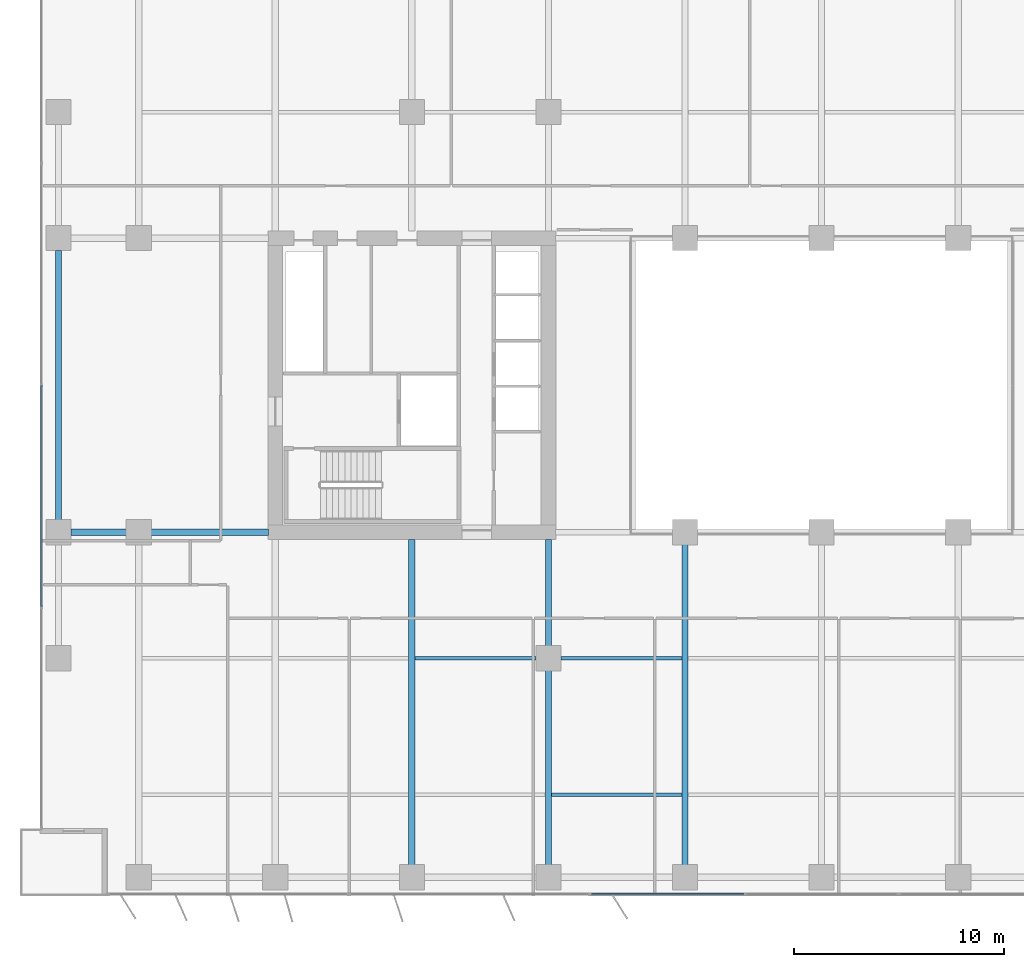
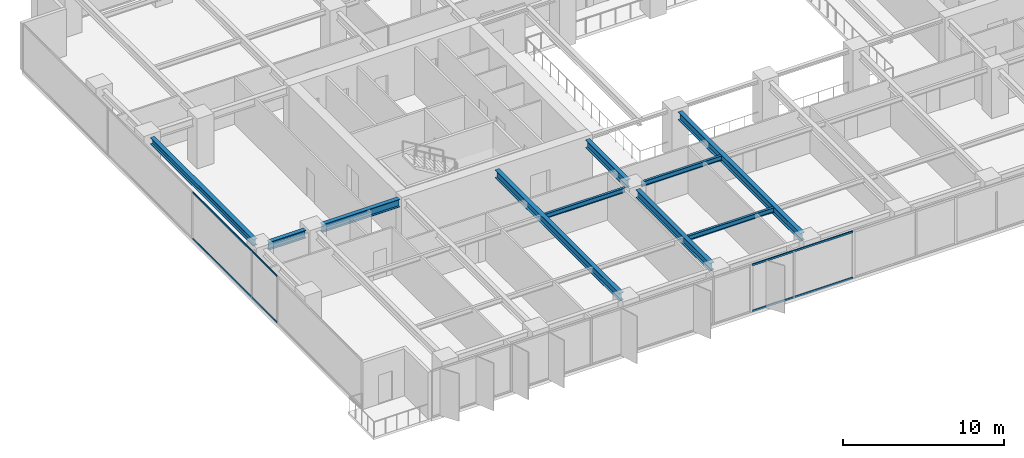
# One storey, part 3 of 20: 10 beams, 4 members, 2 elements without a shape of their own.
"""IFC4 building model written with IfcOpenShell, lengths in metres."""

from ifc_helpers import new_model, si_unit, direction, frame, origin, origin_2d, place, context, subcontext, project, spatial, rectangle, i_section, extrude, material, layer, layer_set, material_profile, profile_set, type_object, element, aggregate, save


model = new_model("IFC4")

# Units and contexts
model_context = context("Model", 3, precision=1e-05, world=origin(), true_north=direction((0.0, 1.0)))
body_context = subcontext(model_context, "Body", "Model", "MODEL_VIEW")
ifc_project = project(units=[si_unit("LENGTHUNIT", "METRE"), si_unit("AREAUNIT", "SQUARE_METRE"), si_unit("VOLUMEUNIT", "CUBIC_METRE"), si_unit("PLANEANGLEUNIT", "RADIAN"), si_unit("MASSUNIT", "GRAM", prefix="KILO")], contexts=[model_context])

# Site, building, storey
site_placement = place(None, origin())
site = spatial("IfcSite", under=ifc_project, at=site_placement, CompositionType="ELEMENT")
building_placement = place(site_placement, origin())
building = spatial("IfcBuilding", under=site, at=building_placement, Name="Putna Gate Headquarters", CompositionType="ELEMENT")
storey_placement = place(building_placement, frame((0.0, 0.0, 101.199951171875)))
storey = spatial("IfcBuildingStorey", under=building, at=storey_placement, Name="L24", CompositionType="ELEMENT", Elevation=101.199951171875)

# Beams
ifc_material_1 = material(Name="Steel S355J2", Category="steel")
ifc_material_profile_1 = material_profile(ifc_material_1, i_section(OverallWidth=0.300048828125, OverallDepth=0.60009765625, WebThickness=0.015380859375, FlangeThickness=0.030029296875, at=origin_2d()), Name="Steel S355J2")
ifc_profile_set_1 = profile_set([ifc_material_profile_1], Name="Steel S355J2")
beam_type_1 = type_object("IfcBeamType", Name="BM-GIRD-Z2-HEB600", PredefinedType="USERDEFINED", material=ifc_profile_set_1)
beam_1_placement = place(storey_placement, frame((3.26806640625, 19.0, 3.26513671875), z_axis=(1.0, 0.0, 0.0), x_axis=(0.0, 1.0, 0.0)))
element("IfcBeam", 1, at=beam_1_placement, inside=storey, type_object=beam_type_1, Name="L24 West Wing Girder Y19-1", ObjectType="GIRDER", PredefinedType="USERDEFINED", context=body_context, shape_type="SweptSolid", body=[
    extrude(i_section(OverallWidth=0.300048828125, OverallDepth=0.60009765625, WebThickness=0.015380859375, FlangeThickness=0.030029296875, at=origin_2d()), origin(), (0.0, 0.0, 1.0), 2.64404296875),
])
beam_2_placement = place(storey_placement, frame((7.087890625, 19.0, 3.26513671875), z_axis=(1.0, 0.0, 0.0), x_axis=(0.0, 1.0, 0.0)))
element("IfcBeam", 2, at=beam_2_placement, inside=storey, type_object=beam_type_1, Name="L24 West Wing Girder Y19-2", ObjectType="GIRDER", PredefinedType="USERDEFINED", context=body_context, shape_type="SweptSolid", body=[
    extrude(i_section(OverallWidth=0.300048828125, OverallDepth=0.60009765625, WebThickness=0.015380859375, FlangeThickness=0.030029296875, at=origin_2d()), origin(), (0.0, 0.0, 1.0), 5.5771484375),
])
beam_3_placement = place(storey_placement, frame((19.5, 3.16796875, 3.26513671875), z_axis=(0.0, 1.0, 0.0), x_axis=(-1.0, 0.0, 0.0)))
element("IfcBeam", 3, at=beam_3_placement, inside=storey, type_object=beam_type_1, Name="L24 South Primary Girder X19", ObjectType="GIRDER", PredefinedType="USERDEFINED", context=body_context, shape_type="SweptSolid", body=[
    extrude(i_section(OverallWidth=0.300048828125, OverallDepth=0.60009765625, WebThickness=0.015380859375, FlangeThickness=0.030029296875, at=origin_2d()), origin(), (0.0, 0.0, 1.0), 15.4970703125),
])
beam_4_placement = place(storey_placement, frame((26.0, 3.16796875, 3.26513671875), z_axis=(0.0, 1.0, 0.0), x_axis=(-1.0, 0.0, 0.0)))
element("IfcBeam", 4, at=beam_4_placement, inside=storey, type_object=beam_type_1, Name="L24 South Primary Girder X26-1", ObjectType="GIRDER", PredefinedType="USERDEFINED", context=body_context, shape_type="SweptSolid", body=[
    extrude(i_section(OverallWidth=0.300048828125, OverallDepth=0.60009765625, WebThickness=0.015380859375, FlangeThickness=0.030029296875, at=origin_2d()), origin(), (0.0, 0.0, 1.0), 9.244140625),
])
beam_5_placement = place(storey_placement, frame((26.0, 13.587890625, 3.26513671875), z_axis=(0.0, 1.0, 0.0), x_axis=(-1.0, 0.0, 0.0)))
element("IfcBeam", 5, at=beam_5_placement, inside=storey, type_object=beam_type_1, Name="L24 South Primary Girder X26-2", ObjectType="GIRDER", PredefinedType="USERDEFINED", context=body_context, shape_type="SweptSolid", body=[
    extrude(i_section(OverallWidth=0.300048828125, OverallDepth=0.60009765625, WebThickness=0.015380859375, FlangeThickness=0.030029296875, at=origin_2d()), origin(), (0.0, 0.0, 1.0), 5.0771484375),
])
beam_6_placement = place(storey_placement, frame((32.5, 3.16796875, 3.26513671875), z_axis=(0.0, 1.0, 0.0), x_axis=(-1.0, 0.0, 0.0)))
element("IfcBeam", 6, at=beam_6_placement, inside=storey, type_object=beam_type_1, Name="L24 South Primary Girder X32", ObjectType="GIRDER", PredefinedType="USERDEFINED", context=body_context, shape_type="SweptSolid", body=[
    extrude(i_section(OverallWidth=0.300048828125, OverallDepth=0.60009765625, WebThickness=0.015380859375, FlangeThickness=0.030029296875, at=origin_2d()), origin(), (0.0, 0.0, 1.0), 15.244140625),
])
ifc_material_profile_2 = material_profile(ifc_material_1, i_section(OverallWidth=0.169921875, OverallDepth=0.360107421875, WebThickness=0.008056640625, FlangeThickness=0.0126953125, at=origin_2d()), Name="Steel S355J2")
ifc_profile_set_2 = profile_set([ifc_material_profile_2], Name="Steel S355J2")
beam_type_2 = type_object("IfcBeamType", Name="BM-SEC-Z2-IPE360", PredefinedType="BEAM", material=ifc_profile_set_2)
beam_7_placement = place(storey_placement, frame((19.654052734375, 13.0, 3.385009765625), z_axis=(1.0, 0.0, 0.0), x_axis=(0.0, 1.0, 0.0)))
element("IfcBeam", 7, at=beam_7_placement, inside=storey, type_object=beam_type_2, Name="L24 South Secondary Beam 3", PredefinedType="BEAM", context=body_context, shape_type="SweptSolid", body=[
    extrude(i_section(OverallWidth=0.169921875, OverallDepth=0.360107421875, WebThickness=0.008056640625, FlangeThickness=0.0126953125, at=origin_2d()), origin(), (0.0, 0.0, 1.0), 5.758056640625),
])
beam_8_placement = place(storey_placement, frame((26.154052734375, 6.5, 3.385009765625), z_axis=(1.0, 0.0, 0.0), x_axis=(0.0, 1.0, 0.0)))
element("IfcBeam", 8, at=beam_8_placement, inside=storey, type_object=beam_type_2, Name="L24 South Secondary Beam 4", PredefinedType="BEAM", context=body_context, shape_type="SweptSolid", body=[
    extrude(i_section(OverallWidth=0.169921875, OverallDepth=0.360107421875, WebThickness=0.008056640625, FlangeThickness=0.0126953125, at=origin_2d()), origin(), (0.0, 0.0, 1.0), 6.19189453125),
])
beam_9_placement = place(storey_placement, frame((26.587890625, 13.0, 3.385009765625), z_axis=(1.0, 0.0, 0.0), x_axis=(0.0, 1.0, 0.0)))
element("IfcBeam", 9, at=beam_9_placement, inside=storey, type_object=beam_type_2, Name="L24 South Secondary Beam 4", PredefinedType="BEAM", context=body_context, shape_type="SweptSolid", body=[
    extrude(i_section(OverallWidth=0.169921875, OverallDepth=0.360107421875, WebThickness=0.008056640625, FlangeThickness=0.0126953125, at=origin_2d()), origin(), (0.0, 0.0, 1.0), 5.758056640625),
])
ifc_material_profile_3 = material_profile(ifc_material_1, i_section(OverallWidth=0.300048828125, OverallDepth=0.489990234375, WebThickness=0.011962890625, FlangeThickness=0.02294921875, at=origin_2d()), Name="Steel S355J2")
ifc_profile_set_3 = profile_set([ifc_material_profile_3], Name="Steel S355J2")
beam_type_3 = type_object("IfcBeamType", Name="BM-SPAN-Z2-HEA500", PredefinedType="SPANDREL", material=ifc_profile_set_3)
beam_10_placement = place(storey_placement, frame((2.679931640625, 19.587890625, 3.320068359375), z_axis=(0.0, 1.0, 0.0), x_axis=(-1.0, 0.0, 0.0)))
element("IfcBeam", 10, at=beam_10_placement, inside=storey, type_object=beam_type_3, Name="L24 W End Spandrel 2", PredefinedType="SPANDREL", context=body_context, shape_type="SweptSolid", body=[
    extrude(i_section(OverallWidth=0.300048828125, OverallDepth=0.489990234375, WebThickness=0.011962890625, FlangeThickness=0.02294921875, at=origin_2d()), origin(), (0.0, 0.0, 1.0), 12.82421875),
])

# Curtain wall, members
ifc_material_2 = material(Name="Anodised bronze aluminium curtain wall", Category="aluminium")
ifc_layer_1 = layer(ifc_material_2, 0.159912109375)
ifc_layer_set_1 = layer_set([ifc_layer_1], Name="Anodised bronze aluminium curtain wall")
curtain_wall_type_1 = type_object("IfcCurtainWallType", Name="CW-SYS-Z2", PredefinedType="USERDEFINED", material=ifc_layer_set_1)
curtain_wall_1_placement = place(storey_placement, origin())
curtain_wall_1 = element("IfcCurtainWall", 11, at=curtain_wall_1_placement, inside=storey, type_object=curtain_wall_type_1, Name="L24 West Curtain Wall", ObjectType="STICK CURTAIN WALL", PredefinedType="USERDEFINED")
ifc_material_3 = material(Name="Anodised bronze aluminium EN AW-6060", Category="aluminium")
ifc_material_profile_4 = material_profile(ifc_material_3, rectangle(XDim=0.06494140625, YDim=0.1201171875, at=origin_2d()), Name="Anodised bronze aluminium EN AW-6060")
ifc_profile_set_4 = profile_set([ifc_material_profile_4], Name="Anodised bronze aluminium EN AW-6060")
member_type_1 = type_object("IfcMemberType", Name="TRAN-CWT-2", PredefinedType="USERDEFINED", material=ifc_profile_set_4)
member_1_placement = place(storey_placement, frame((1.8798828125, 15.482421875, 0.032470703125), z_axis=(0.0, 1.0, 0.0), x_axis=(-1.0, 0.0, 0.0)))
member_1 = element("IfcMember", 12, at=member_1_placement, type_object=member_type_1, Name="CWS-2 transom 2.1", ObjectType="TRANSOM", PredefinedType="USERDEFINED", context=body_context, shape_type="SweptSolid", body=[
    extrude(rectangle(XDim=0.06494140625, YDim=0.1201171875, at=origin_2d()), origin(), (0.0, 0.0, 1.0), 10.485107421875),
])
member_2_placement = place(storey_placement, frame((1.8798828125, 15.482421875, 3.532470703125), z_axis=(0.0, 1.0, 0.0), x_axis=(-1.0, 0.0, 0.0)))
member_2 = element("IfcMember", 13, at=member_2_placement, type_object=member_type_1, Name="CWS-2 transom 2.2", ObjectType="TRANSOM", PredefinedType="USERDEFINED", context=body_context, shape_type="SweptSolid", body=[
    extrude(rectangle(XDim=0.06494140625, YDim=0.1201171875, at=origin_2d()), origin(), (0.0, 0.0, 1.0), 10.485107421875),
])
aggregate(curtain_wall_1, [member_1, member_2])

ifc_layer_2 = layer(ifc_material_2, 0.179931640625)
ifc_layer_set_2 = layer_set([ifc_layer_2], Name="Anodised bronze aluminium curtain wall")
curtain_wall_type_2 = type_object("IfcCurtainWallType", Name="CW-SYS-ATR", PredefinedType="USERDEFINED", material=ifc_layer_set_2)
curtain_wall_2_placement = place(storey_placement, origin())
curtain_wall_2 = element("IfcCurtainWall", 14, at=curtain_wall_2_placement, inside=storey, type_object=curtain_wall_type_2, Name="L24 South Atrium Clear Glazing", ObjectType="ATRIUM GLAZING", PredefinedType="USERDEFINED")
ifc_material_profile_5 = material_profile(ifc_material_3, rectangle(XDim=0.070068359375, YDim=0.139892578125, at=origin_2d()), Name="Anodised bronze aluminium EN AW-6060")
ifc_profile_set_5 = profile_set([ifc_material_profile_5], Name="Anodised bronze aluminium EN AW-6060")
member_type_2 = type_object("IfcMemberType", Name="TRAN-CWT-AT", PredefinedType="USERDEFINED", material=ifc_profile_set_5)
member_3_placement = place(storey_placement, frame((28.070068359375, 1.780029296875, 0.03515625), z_axis=(1.0, 0.0, 0.0), x_axis=(0.0, 1.0, 0.0)))
member_3 = element("IfcMember", 15, at=member_3_placement, type_object=member_type_2, Name="CWS-AT transom 1.1", ObjectType="TRANSOM", PredefinedType="USERDEFINED", context=body_context, shape_type="SweptSolid", body=[
    extrude(rectangle(XDim=0.070068359375, YDim=0.139892578125, at=origin_2d()), origin(), (0.0, 0.0, 1.0), 7.228271484375),
])
member_4_placement = place(storey_placement, frame((28.070068359375, 1.780029296875, 3.530029296875), z_axis=(1.0, 0.0, 0.0), x_axis=(0.0, 1.0, 0.0)))
member_4 = element("IfcMember", 16, at=member_4_placement, type_object=member_type_2, Name="CWS-AT transom 1.2", ObjectType="TRANSOM", PredefinedType="USERDEFINED", context=body_context, shape_type="SweptSolid", body=[
    extrude(rectangle(XDim=0.070068359375, YDim=0.139892578125, at=origin_2d()), origin(), (0.0, 0.0, 1.0), 7.228271484375),
])
aggregate(curtain_wall_2, [member_3, member_4])

save(model, "model.ifc")
